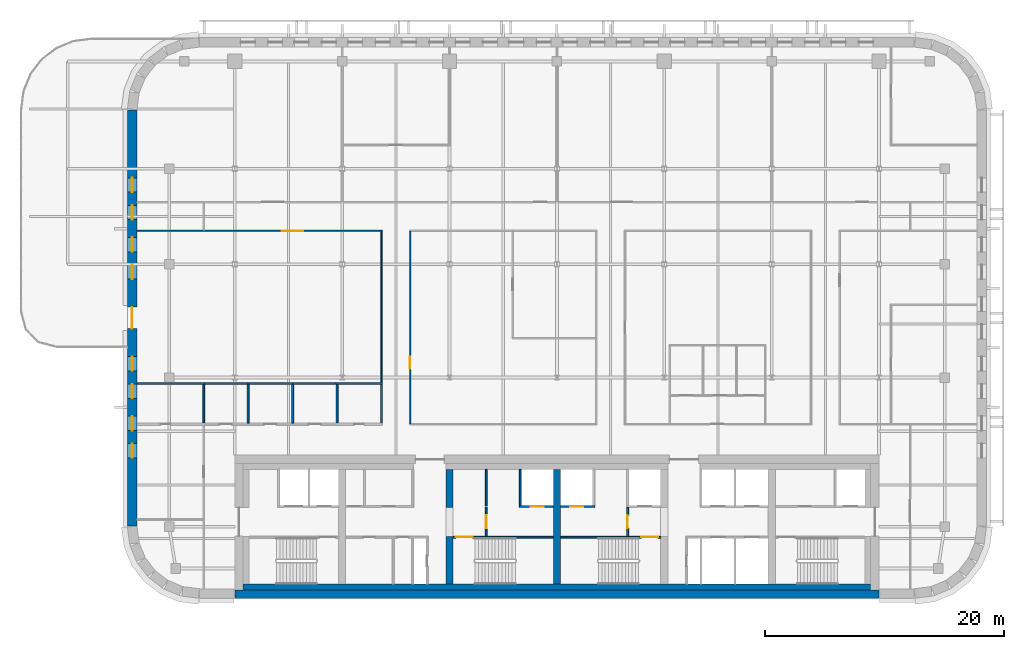
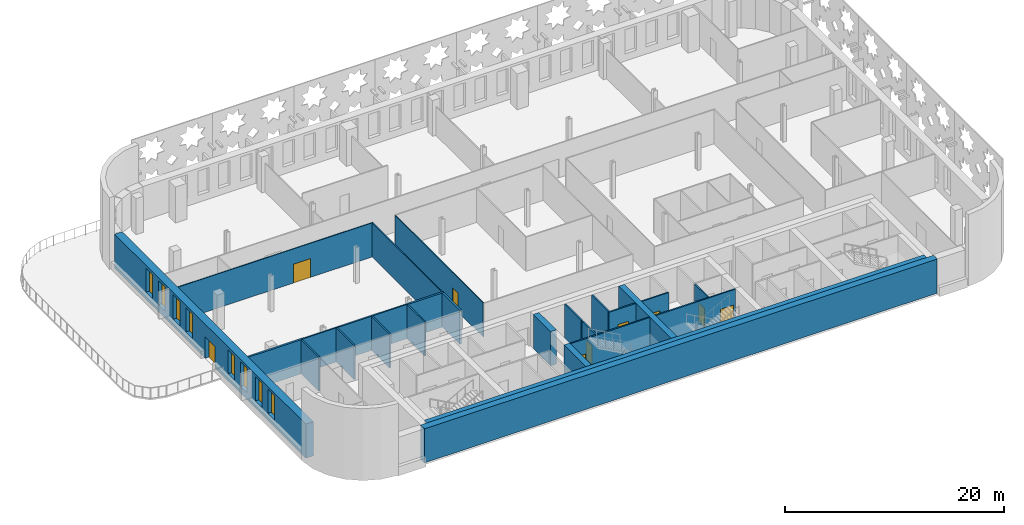
# One storey, part 7 of 17: 25 walls, 9 doors, 8 windows, 17 openings.
"""IFC4 building model written with IfcOpenShell, lengths in metres."""

from ifc_helpers import new_model, si_unit, direction, frame, frame_2d, origin, place, context, subcontext, project, spatial, rectangle, extrude, material, layer, layer_set, type_object, element, fill, save


model = new_model("IFC4")

# Units and contexts
model_context = context("Model", 3, precision=1e-05, world=origin(), true_north=direction((0.0, 1.0)))
body_context = subcontext(model_context, "Body", "Model", "MODEL_VIEW")
ifc_project = project(units=[si_unit("LENGTHUNIT", "METRE"), si_unit("AREAUNIT", "SQUARE_METRE"), si_unit("VOLUMEUNIT", "CUBIC_METRE"), si_unit("PLANEANGLEUNIT", "RADIAN"), si_unit("MASSUNIT", "GRAM", prefix="KILO")], contexts=[model_context])

# Site, building, storey
site_placement = place(None, origin())
site = spatial("IfcSite", under=ifc_project, at=site_placement, CompositionType="ELEMENT")
building_placement = place(site_placement, origin())
building = spatial("IfcBuilding", under=site, at=building_placement, Name="Zellij Exchange Tower", CompositionType="ELEMENT")
storey_placement = place(building_placement, frame((0.0, 0.0, 256.5)))
storey = spatial("IfcBuildingStorey", under=building, at=storey_placement, Name="L60", CompositionType="ELEMENT", Elevation=256.5)

# Walls
ifc_material_1 = material(Name="Concrete C50/60", Category="concrete")
ifc_layer_1 = layer(ifc_material_1, 0.60009765625)
ifc_layer_set_1 = layer_set([ifc_layer_1], Name="Concrete C50/60")
wall_type_1 = type_object("IfcWallType", Name="CORE-CW 600 C50/60", PredefinedType="SHEAR", material=ifc_layer_set_1)
wall_1_placement = place(storey_placement, frame((-9.0, -12.800048828125, 0.0), z_axis=(0.0, 0.0, 1.0), x_axis=(0.0, 1.0, 0.0)))
element("IfcWall", 1, at=wall_1_placement, inside=storey, type_object=wall_type_1, Name="Core cross wall pier x -9 a L60", PredefinedType="SHEAR", context=body_context, shape_type="SweptSolid", body=[
    extrude(rectangle(XDim=4.0, YDim=0.60009765625, at=frame_2d((2.0, 0.0))), origin(), (0.0, 0.0, 1.0), 3.800048828125),
])
wall_2_placement = place(storey_placement, frame((-9.0, -6.375, 0.0), z_axis=(0.0, 0.0, 1.0), x_axis=(0.0, 1.0, 0.0)))
element("IfcWall", 2, at=wall_2_placement, inside=storey, type_object=wall_type_1, Name="Core cross wall pier x -9 b L60", PredefinedType="SHEAR", context=body_context, shape_type="SweptSolid", body=[
    extrude(rectangle(XDim=3.175048828125, YDim=0.60009765625, at=frame_2d((1.58740234375, 0.0))), origin(), (0.0, 0.0, 1.0), 3.800048828125),
])
wall_3_placement = place(storey_placement, frame((0.0, -12.800048828125, 0.0), z_axis=(0.0, 0.0, 1.0), x_axis=(0.0, 1.0, 0.0)))
element("IfcWall", 3, at=wall_3_placement, inside=storey, type_object=wall_type_1, Name="Core cross wall x 0 L60", PredefinedType="SHEAR", context=body_context, shape_type="SweptSolid", body=[
    extrude(rectangle(XDim=9.60009765625, YDim=0.60009765625, at=frame_2d((4.800048828125, 0.0))), origin(), (0.0, 0.0, 1.0), 3.800048828125),
])
ifc_material_2 = material(Name="Concrete C30/37", Category="concrete")
ifc_layer_2 = layer(ifc_material_2, 0.5)
ifc_layer_set_2 = layer_set([ifc_layer_2], Name="Concrete C30/37")
wall_type_2 = type_object("IfcWallType", Name="CORE-LW 500 C30/37", PredefinedType="SHEAR", material=ifc_layer_set_2)
wall_4_placement = place(storey_placement, frame((-26.300048828125, -13.050048828125, 0.0), z_axis=(0.0, 0.0, 1.0), x_axis=(1.0, 0.0, 0.0)))
element("IfcWall", 4, at=wall_4_placement, inside=storey, type_object=wall_type_2, Name="Core wall lining rear.0 L60", PredefinedType="SHEAR", context=body_context, shape_type="SweptSolid", body=[
    extrude(rectangle(XDim=52.60009765625, YDim=0.5, at=frame_2d((26.300048828125, 0.0))), origin(), (0.0, 0.0, 1.0), 3.800048828125),
])

# Wall, opening, door
ifc_material_3 = material(Name="Gypsum shaft wall system")
ifc_layer_3 = layer(ifc_material_3, 0.14990234375)
ifc_layer_set_3 = layer_set([ifc_layer_3], Name="Gypsum shaft wall system")
wall_type_3 = type_object("IfcWallType", Name="CORE-PW 150 Firefighting lobby wall", PredefinedType="PARTITIONING", material=ifc_layer_set_3)
wall_5_placement = place(storey_placement, frame((-5.925048828125, -8.800048828125, 0.0), z_axis=(0.0, 0.0, 1.0), x_axis=(0.0, 1.0, 0.0)))
wall_5 = element("IfcWall", 5, at=wall_5_placement, inside=storey, type_object=wall_type_3, Name="Firefighting lobby wall L60", PredefinedType="PARTITIONING", context=body_context, shape_type="SweptSolid", body=[
    extrude(rectangle(XDim=2.425048828125, YDim=0.14990234375, at=frame_2d((1.21240234375, 0.0))), origin(), (0.0, 0.0, 1.0), 3.800048828125),
])
opening_1_placement = place(wall_5_placement, frame((0.662109375, 0.0, 0.0)))
opening_1 = element("IfcOpeningElement", 6, at=opening_1_placement, cuts=wall_5, Name="Opening CA-31.12", PredefinedType="OPENING", context=body_context, shape_type="SweptSolid", body=[
    extrude(rectangle(XDim=1.10009765625, YDim=2.10009765625, at=frame_2d((0.550048828125, 1.050048828125))), frame((0.0, 0.0869140625, 0.0), z_axis=(0.0, -1.0, 0.0), x_axis=(1.0, 0.0, 0.0)), (0.0, 0.0, 1.0), 0.173828125),
])
ifc_material_4 = material(Name="Hollow metal fire door")
door_type_1 = type_object("IfcDoorType", Name="CORE-D F Firefighting lobby door 1100x2100 1 HR", OperationType="NOTDEFINED", PredefinedType="DOOR", material=ifc_material_4)
door_1_placement = place(opening_1_placement, origin())
door_1 = element("IfcDoor", 7, at=door_1_placement, inside=storey, type_object=door_type_1, Name="Firefighting lobby door CA-31.12", OperationType="SINGLE_SWING_LEFT", OverallHeight=2.10009765625, OverallWidth=1.10009765625, PredefinedType="DOOR", context=body_context, shape_type="SweptSolid", body=[
    extrude(rectangle(XDim=1.10009765625, YDim=2.10009765625, at=frame_2d((0.550048828125, 1.050048828125))), frame((0.0, 0.02490234375, 0.0), z_axis=(0.0, -1.0, 0.0), x_axis=(1.0, 0.0, 0.0)), (0.0, 0.0, 1.0), 0.050048828125),
])
fill(opening_1, door_1)

wall_6_placement = place(storey_placement, frame((5.925048828125, -8.800048828125, 0.0), z_axis=(0.0, 0.0, 1.0), x_axis=(0.0, 1.0, 0.0)))
wall_6 = element("IfcWall", 8, at=wall_6_placement, inside=storey, type_object=wall_type_3, Name="Firefighting lobby wall L60", PredefinedType="PARTITIONING", context=body_context, shape_type="SweptSolid", body=[
    extrude(rectangle(XDim=2.425048828125, YDim=0.14990234375, at=frame_2d((1.21240234375, 0.0))), origin(), (0.0, 0.0, 1.0), 3.800048828125),
])
opening_2_placement = place(wall_6_placement, frame((0.662109375, 0.0, 0.0)))
opening_2 = element("IfcOpeningElement", 9, at=opening_2_placement, cuts=wall_6, Name="Opening CA-31.15", PredefinedType="OPENING", context=body_context, shape_type="SweptSolid", body=[
    extrude(rectangle(XDim=1.10009765625, YDim=2.10009765625, at=frame_2d((0.550048828125, 1.050048828125))), frame((0.0, 0.0869140625, 0.0), z_axis=(0.0, -1.0, 0.0), x_axis=(1.0, 0.0, 0.0)), (0.0, 0.0, 1.0), 0.173828125),
])
door_2_placement = place(opening_2_placement, origin())
door_2 = element("IfcDoor", 10, at=door_2_placement, inside=storey, type_object=door_type_1, Name="Firefighting lobby door CA-31.15", OperationType="SINGLE_SWING_RIGHT", OverallHeight=2.10009765625, OverallWidth=1.10009765625, PredefinedType="DOOR", context=body_context, shape_type="SweptSolid", body=[
    extrude(rectangle(XDim=1.10009765625, YDim=2.10009765625, at=frame_2d((0.550048828125, 1.050048828125))), frame((0.0, 0.02490234375, 0.0), z_axis=(0.0, -1.0, 0.0), x_axis=(1.0, 0.0, 0.0)), (0.0, 0.0, 1.0), 0.050048828125),
])
fill(opening_2, door_2)

# Walls
ifc_material_5 = material(Name="Gypsum board partition")
ifc_layer_4 = layer(ifc_material_5, 0.14990234375)
ifc_layer_set_4 = layer_set([ifc_layer_4], Name="Gypsum board partition")
wall_type_4 = type_object("IfcWallType", Name="CORE-PW 150 Lift lobby wall", PredefinedType="PARTITIONING", material=ifc_layer_set_4)
wall_7_placement = place(storey_placement, frame((-5.925048828125, -6.22509765625, 0.0), z_axis=(0.0, 0.0, 1.0), x_axis=(0.0, 1.0, 0.0)))
element("IfcWall", 11, at=wall_7_placement, inside=storey, type_object=wall_type_4, Name="Lift lobby wall L60", PredefinedType="PARTITIONING", context=body_context, shape_type="SweptSolid", body=[
    extrude(rectangle(XDim=3.025146484375, YDim=0.14990234375, at=frame_2d((1.5126953125, 0.0))), origin(), (0.0, 0.0, 1.0), 3.800048828125),
])
ifc_layer_5 = layer(ifc_material_3, 0.14990234375)
ifc_layer_set_5 = layer_set([ifc_layer_5], Name="Gypsum shaft wall system")
wall_type_5 = type_object("IfcWallType", Name="CORE-PW 150 Lift shaft wall", PredefinedType="PARTITIONING", material=ifc_layer_set_5)
wall_8_placement = place(storey_placement, frame((-3.074951171875, -6.22509765625, 0.0), z_axis=(0.0, 0.0, 1.0), x_axis=(0.0, 1.0, 0.0)))
element("IfcWall", 12, at=wall_8_placement, inside=storey, type_object=wall_type_5, Name="Lift shaft wall L60", PredefinedType="PARTITIONING", context=body_context, shape_type="SweptSolid", body=[
    extrude(rectangle(XDim=3.025146484375, YDim=0.14990234375, at=frame_2d((1.5126953125, 0.0))), origin(), (0.0, 0.0, 1.0), 3.800048828125),
])

# Wall, opening, door
wall_9_placement = place(storey_placement, frame((-3.14990234375, -6.300048828125, 0.0), z_axis=(0.0, 0.0, 1.0), x_axis=(1.0, 0.0, 0.0)))
wall_9 = element("IfcWall", 13, at=wall_9_placement, inside=storey, type_object=wall_type_5, Name="Lift shaft wall L60", PredefinedType="PARTITIONING", context=body_context, shape_type="SweptSolid", body=[
    extrude(rectangle(XDim=2.849853515625, YDim=0.14990234375, at=frame_2d((1.4248046875, 0.0))), origin(), (0.0, 0.0, 1.0), 3.800048828125),
])
opening_3_placement = place(wall_9_placement, frame((0.949951171875, 0.0, 0.0)))
opening_3 = element("IfcOpeningElement", 14, at=opening_3_placement, cuts=wall_9, Name="Opening CA-31.13", PredefinedType="OPENING", context=body_context, shape_type="SweptSolid", body=[
    extrude(rectangle(XDim=1.10009765625, YDim=2.10009765625, at=frame_2d((0.550048828125, 1.050048828125))), frame((0.0, 0.0869140625, 0.0), z_axis=(0.0, -1.0, 0.0), x_axis=(1.0, 0.0, 0.0)), (0.0, 0.0, 1.0), 0.173828125),
])
door_type_2 = type_object("IfcDoorType", Name="CORE-D LD Lift landing door 1100x2100 1.5 HR", OperationType="NOTDEFINED", PredefinedType="DOOR", material=ifc_material_4)
door_3_placement = place(opening_3_placement, origin())
door_3 = element("IfcDoor", 15, at=door_3_placement, inside=storey, type_object=door_type_2, Name="Lift landing door CA-31.13", OperationType="SLIDING_TO_LEFT", OverallHeight=2.10009765625, OverallWidth=1.10009765625, PredefinedType="DOOR", context=body_context, shape_type="SweptSolid", body=[
    extrude(rectangle(XDim=1.10009765625, YDim=2.10009765625, at=frame_2d((0.550048828125, 1.050048828125))), frame((0.0, 0.02490234375, 0.0), z_axis=(0.0, -1.0, 0.0), x_axis=(1.0, 0.0, 0.0)), (0.0, 0.0, 1.0), 0.050048828125),
])
fill(opening_3, door_3)

wall_10_placement = place(storey_placement, frame((0.300048828125, -6.300048828125, 0.0), z_axis=(0.0, 0.0, 1.0), x_axis=(1.0, 0.0, 0.0)))
wall_10 = element("IfcWall", 16, at=wall_10_placement, inside=storey, type_object=wall_type_5, Name="Lift shaft wall L60", PredefinedType="PARTITIONING", context=body_context, shape_type="SweptSolid", body=[
    extrude(rectangle(XDim=2.849853515625, YDim=0.14990234375, at=frame_2d((1.4248046875, 0.0))), origin(), (0.0, 0.0, 1.0), 3.800048828125),
])
opening_4_placement = place(wall_10_placement, frame((0.800048828125, 0.0, 0.0)))
opening_4 = element("IfcOpeningElement", 17, at=opening_4_placement, cuts=wall_10, Name="Opening CA-31.14", PredefinedType="OPENING", context=body_context, shape_type="SweptSolid", body=[
    extrude(rectangle(XDim=1.10009765625, YDim=2.10009765625, at=frame_2d((0.550048828125, 1.050048828125))), frame((0.0, 0.0869140625, 0.0), z_axis=(0.0, -1.0, 0.0), x_axis=(1.0, 0.0, 0.0)), (0.0, 0.0, 1.0), 0.173828125),
])
door_4_placement = place(opening_4_placement, origin())
door_4 = element("IfcDoor", 18, at=door_4_placement, inside=storey, type_object=door_type_2, Name="Lift landing door CA-31.14", OperationType="SLIDING_TO_RIGHT", OverallHeight=2.10009765625, OverallWidth=1.10009765625, PredefinedType="DOOR", context=body_context, shape_type="SweptSolid", body=[
    extrude(rectangle(XDim=1.10009765625, YDim=2.10009765625, at=frame_2d((0.550048828125, 1.050048828125))), frame((0.0, 0.02490234375, 0.0), z_axis=(0.0, -1.0, 0.0), x_axis=(1.0, 0.0, 0.0)), (0.0, 0.0, 1.0), 0.050048828125),
])
fill(opening_4, door_4)

# Wall
ifc_layer_6 = layer(ifc_material_1, 0.699951171875)
ifc_layer_set_6 = layer_set([ifc_layer_6], Name="Concrete C50/60")
wall_type_6 = type_object("IfcWallType", Name="CORE-SW 700 C50/60", PredefinedType="SHEAR", material=ifc_layer_set_6)
wall_11_placement = place(storey_placement, frame((-27.0, -13.64990234375, 0.0), z_axis=(0.0, 0.0, 1.0), x_axis=(1.0, 0.0, 0.0)))
element("IfcWall", 19, at=wall_11_placement, inside=storey, type_object=wall_type_6, Name="Core shear wall rear L60", PredefinedType="SHEAR", context=body_context, shape_type="SweptSolid", body=[
    extrude(rectangle(XDim=54.0, YDim=0.699951171875, at=frame_2d((27.0, 0.0))), origin(), (0.0, 0.0, 1.0), 3.800048828125),
])

# Wall, opening, door
ifc_layer_7 = layer(ifc_material_1, 0.14990234375)
ifc_layer_set_7 = layer_set([ifc_layer_7], Name="Concrete C50/60")
wall_type_7 = type_object("IfcWallType", Name="CORE-SWS 150 C50/60", PredefinedType="SHEAR", material=ifc_layer_set_7)
wall_12_placement = place(storey_placement, frame((-8.699951171875, -8.875, 0.0), z_axis=(0.0, 0.0, 1.0), x_axis=(1.0, 0.0, 0.0)))
wall_12 = element("IfcWall", 20, at=wall_12_placement, inside=storey, type_object=wall_type_7, Name="Stair enclosure wall L60", PredefinedType="SHEAR", context=body_context, shape_type="SweptSolid", body=[
    extrude(rectangle(XDim=8.39990234375, YDim=0.14990234375, at=frame_2d((4.199951171875, 0.0))), origin(), (0.0, 0.0, 1.0), 3.800048828125),
])
opening_5_placement = place(wall_12_placement, frame((0.22509765625, 0.0, 0.0)))
opening_5 = element("IfcOpeningElement", 21, at=opening_5_placement, cuts=wall_12, Name="Opening CA-31.11", PredefinedType="OPENING", context=body_context, shape_type="SweptSolid", body=[
    extrude(rectangle(XDim=1.39990234375, YDim=2.10009765625, at=frame_2d((0.699951171875, 1.050048828125))), frame((0.0, 0.0869140625, 0.0), z_axis=(0.0, -1.0, 0.0), x_axis=(1.0, 0.0, 0.0)), (0.0, 0.0, 1.0), 0.173828125),
])
door_type_3 = type_object("IfcDoorType", Name="CORE-D SD Stair door 1400x2100 1.5 HR", OperationType="NOTDEFINED", PredefinedType="DOOR", material=ifc_material_4)
door_5_placement = place(opening_5_placement, origin())
door_5 = element("IfcDoor", 22, at=door_5_placement, inside=storey, type_object=door_type_3, Name="Stair door CA-31.11", OperationType="DOUBLE_DOOR_SINGLE_SWING", OverallHeight=2.10009765625, OverallWidth=1.39990234375, PredefinedType="DOOR", context=body_context, shape_type="SweptSolid", body=[
    extrude(rectangle(XDim=1.39990234375, YDim=2.10009765625, at=frame_2d((0.699951171875, 1.050048828125))), frame((0.0, 0.02490234375, 0.0), z_axis=(0.0, -1.0, 0.0), x_axis=(1.0, 0.0, 0.0)), (0.0, 0.0, 1.0), 0.050048828125),
])
fill(opening_5, door_5)

wall_13_placement = place(storey_placement, frame((0.300048828125, -8.875, 0.0), z_axis=(0.0, 0.0, 1.0), x_axis=(1.0, 0.0, 0.0)))
wall_13 = element("IfcWall", 23, at=wall_13_placement, inside=storey, type_object=wall_type_7, Name="Stair enclosure wall L60", PredefinedType="SHEAR", context=body_context, shape_type="SweptSolid", body=[
    extrude(rectangle(XDim=8.39990234375, YDim=0.14990234375, at=frame_2d((4.199951171875, 0.0))), origin(), (0.0, 0.0, 1.0), 3.800048828125),
])
opening_6_placement = place(wall_13_placement, frame((6.77490234375, 0.0, 0.0)))
opening_6 = element("IfcOpeningElement", 24, at=opening_6_placement, cuts=wall_13, Name="Opening CA-31.17", PredefinedType="OPENING", context=body_context, shape_type="SweptSolid", body=[
    extrude(rectangle(XDim=1.39990234375, YDim=2.10009765625, at=frame_2d((0.699951171875, 1.050048828125))), frame((0.0, 0.0869140625, 0.0), z_axis=(0.0, -1.0, 0.0), x_axis=(1.0, 0.0, 0.0)), (0.0, 0.0, 1.0), 0.173828125),
])
door_6_placement = place(opening_6_placement, origin())
door_6 = element("IfcDoor", 25, at=door_6_placement, inside=storey, type_object=door_type_3, Name="Stair door CA-31.17", OperationType="DOUBLE_DOOR_SINGLE_SWING", OverallHeight=2.10009765625, OverallWidth=1.39990234375, PredefinedType="DOOR", context=body_context, shape_type="SweptSolid", body=[
    extrude(rectangle(XDim=1.39990234375, YDim=2.10009765625, at=frame_2d((0.699951171875, 1.050048828125))), frame((0.0, 0.02490234375, 0.0), z_axis=(0.0, -1.0, 0.0), x_axis=(1.0, 0.0, 0.0)), (0.0, 0.0, 1.0), 0.050048828125),
])
fill(opening_6, door_6)

# Wall, openings, door, windows
ifc_material_6 = material(Name="Precast concrete C40/50", Category="concrete")
ifc_layer_8 = layer(ifc_material_6, 0.800048828125)
ifc_layer_set_8 = layer_set([ifc_layer_8], Name="Precast concrete C40/50")
wall_type_8 = type_object("IfcWallType", Name="ENV-EW1 Precast stone-piered wall 800", PredefinedType="SOLIDWALL", material=ifc_layer_set_8)
wall_14_placement = place(storey_placement, frame((-35.60009765625, 26.947509765625, 0.0), z_axis=(0.0, 0.0, 1.0), x_axis=(0.0, -1.0, 0.0)))
wall_14 = element("IfcWall", 26, at=wall_14_placement, inside=storey, type_object=wall_type_8, Name="fac.L60.21", PredefinedType="SOLIDWALL", context=body_context, shape_type="SweptSolid", body=[
    extrude(rectangle(XDim=34.89501953125, YDim=0.800048828125, at=frame_2d((17.447509765625, 0.0))), origin(), (0.0, 0.0, 1.0), 3.800048828125),
])
opening_7_placement = place(wall_14_placement, frame((5.71240234375, 0.0, 0.800048828125)))
opening_7 = element("IfcOpeningElement", 27, at=opening_7_placement, cuts=wall_14, Name="Opening FZ4.35", PredefinedType="OPENING", context=body_context, shape_type="SweptSolid", body=[
    extrude(rectangle(XDim=1.199951171875, YDim=2.699951171875, at=frame_2d((0.60009765625, 1.35009765625))), frame((0.0, 0.412109375, 0.0), z_axis=(0.0, -1.0, 0.0), x_axis=(1.0, 0.0, 0.0)), (0.0, 0.0, 1.0), 0.823974609375),
])
opening_8_placement = place(wall_14_placement, frame((8.0126953125, 0.0, 0.800048828125)))
opening_8 = element("IfcOpeningElement", 28, at=opening_8_placement, cuts=wall_14, Name="Opening FZ4.36", PredefinedType="OPENING", context=body_context, shape_type="SweptSolid", body=[
    extrude(rectangle(XDim=1.199951171875, YDim=2.699951171875, at=frame_2d((0.60009765625, 1.35009765625))), frame((0.0, 0.412109375, 0.0), z_axis=(0.0, -1.0, 0.0), x_axis=(1.0, 0.0, 0.0)), (0.0, 0.0, 1.0), 0.823974609375),
])
opening_9_placement = place(wall_14_placement, frame((10.705078125, 0.0, 0.800048828125)))
opening_9 = element("IfcOpeningElement", 29, at=opening_9_placement, cuts=wall_14, Name="Opening FZ4.37", PredefinedType="OPENING", context=body_context, shape_type="SweptSolid", body=[
    extrude(rectangle(XDim=1.199951171875, YDim=2.699951171875, at=frame_2d((0.60009765625, 1.35009765625))), frame((0.0, 0.412109375, 0.0), z_axis=(0.0, -1.0, 0.0), x_axis=(1.0, 0.0, 0.0)), (0.0, 0.0, 1.0), 0.823974609375),
])
opening_10_placement = place(wall_14_placement, frame((13.005126953125, 0.0, 0.800048828125)))
opening_10 = element("IfcOpeningElement", 30, at=opening_10_placement, cuts=wall_14, Name="Opening FZ4.38", PredefinedType="OPENING", context=body_context, shape_type="SweptSolid", body=[
    extrude(rectangle(XDim=1.199951171875, YDim=2.699951171875, at=frame_2d((0.60009765625, 1.35009765625))), frame((0.0, 0.412109375, 0.0), z_axis=(0.0, -1.0, 0.0), x_axis=(1.0, 0.0, 0.0)), (0.0, 0.0, 1.0), 0.823974609375),
])
opening_11_placement = place(wall_14_placement, frame((20.690185546875, 0.0, 0.800048828125)))
opening_11 = element("IfcOpeningElement", 31, at=opening_11_placement, cuts=wall_14, Name="Opening FZ4.39", PredefinedType="OPENING", context=body_context, shape_type="SweptSolid", body=[
    extrude(rectangle(XDim=1.199951171875, YDim=2.699951171875, at=frame_2d((0.60009765625, 1.35009765625))), frame((0.0, 0.412109375, 0.0), z_axis=(0.0, -1.0, 0.0), x_axis=(1.0, 0.0, 0.0)), (0.0, 0.0, 1.0), 0.823974609375),
])
opening_12_placement = place(wall_14_placement, frame((22.989990234375, 0.0, 0.800048828125)))
opening_12 = element("IfcOpeningElement", 32, at=opening_12_placement, cuts=wall_14, Name="Opening FZ4.40", PredefinedType="OPENING", context=body_context, shape_type="SweptSolid", body=[
    extrude(rectangle(XDim=1.199951171875, YDim=2.699951171875, at=frame_2d((0.60009765625, 1.35009765625))), frame((0.0, 0.412109375, 0.0), z_axis=(0.0, -1.0, 0.0), x_axis=(1.0, 0.0, 0.0)), (0.0, 0.0, 1.0), 0.823974609375),
])
opening_13_placement = place(wall_14_placement, frame((25.6826171875, 0.0, 0.800048828125)))
opening_13 = element("IfcOpeningElement", 33, at=opening_13_placement, cuts=wall_14, Name="Opening FZ4.41", PredefinedType="OPENING", context=body_context, shape_type="SweptSolid", body=[
    extrude(rectangle(XDim=1.199951171875, YDim=2.699951171875, at=frame_2d((0.60009765625, 1.35009765625))), frame((0.0, 0.412109375, 0.0), z_axis=(0.0, -1.0, 0.0), x_axis=(1.0, 0.0, 0.0)), (0.0, 0.0, 1.0), 0.823974609375),
])
opening_14_placement = place(wall_14_placement, frame((27.982666015625, 0.0, 0.800048828125)))
opening_14 = element("IfcOpeningElement", 34, at=opening_14_placement, cuts=wall_14, Name="Opening FZ4.42", PredefinedType="OPENING", context=body_context, shape_type="SweptSolid", body=[
    extrude(rectangle(XDim=1.199951171875, YDim=2.699951171875, at=frame_2d((0.60009765625, 1.35009765625))), frame((0.0, 0.412109375, 0.0), z_axis=(0.0, -1.0, 0.0), x_axis=(1.0, 0.0, 0.0)), (0.0, 0.0, 1.0), 0.823974609375),
])
opening_15_placement = place(wall_14_placement, frame((16.547607421875, 0.0, 0.0)))
opening_15 = element("IfcOpeningElement", 35, at=opening_15_placement, cuts=wall_14, Name="Opening FZ4.43", PredefinedType="OPENING", context=body_context, shape_type="SweptSolid", body=[
    extrude(rectangle(XDim=1.800048828125, YDim=2.39990234375, at=frame_2d((0.89990234375, 1.199951171875))), frame((0.0, 0.412109375, 0.0), z_axis=(0.0, -1.0, 0.0), x_axis=(1.0, 0.0, 0.0)), (0.0, 0.0, 1.0), 0.823974609375),
])
ifc_material_7 = material(Name="Aluminium and glass terrace door", Category="aluminium")
door_type_4 = type_object("IfcDoorType", Name="ENV-ED5 Terrace door 1800x2400", OperationType="DOUBLE_DOOR_SINGLE_SWING", PredefinedType="DOOR", material=ifc_material_7)
door_7_placement = place(opening_15_placement, origin())
door_7 = element("IfcDoor", 36, at=door_7_placement, inside=storey, type_object=door_type_4, Name="Terrace door FZ4.43", OperationType="DOUBLE_DOOR_SINGLE_SWING", OverallHeight=2.39990234375, OverallWidth=1.800048828125, PredefinedType="DOOR", context=body_context, shape_type="SweptSolid", body=[
    extrude(rectangle(XDim=1.800048828125, YDim=2.39990234375, at=frame_2d((0.89990234375, 1.199951171875))), frame((0.0, 0.02490234375, 0.0), z_axis=(0.0, -1.0, 0.0), x_axis=(1.0, 0.0, 0.0)), (0.0, 0.0, 1.0), 0.050048828125),
])
fill(opening_15, door_7)
ifc_material_8 = material(Name="Aluminium frame with insulating glass", Category="aluminium")
window_type = type_object("IfcWindowType", Name="ENV-W9 Window 1200x2700", PartitioningType="SINGLE_PANEL", PredefinedType="WINDOW", material=ifc_material_8)
window_1_placement = place(opening_7_placement, origin())
window_1 = element("IfcWindow", 37, at=window_1_placement, inside=storey, type_object=window_type, Name="Window FZ4.35", OverallHeight=2.699951171875, OverallWidth=1.199951171875, PartitioningType="SINGLE_PANEL", PredefinedType="WINDOW", context=body_context, shape_type="SweptSolid", body=[
    extrude(rectangle(XDim=1.199951171875, YDim=2.699951171875, at=frame_2d((0.60009765625, 1.35009765625))), frame((0.0, 0.030029296875, 0.0), z_axis=(0.0, -1.0, 0.0), x_axis=(1.0, 0.0, 0.0)), (0.0, 0.0, 1.0), 0.06005859375),
])
fill(opening_7, window_1)
window_2_placement = place(opening_8_placement, origin())
window_2 = element("IfcWindow", 38, at=window_2_placement, inside=storey, type_object=window_type, Name="Window FZ4.36", OverallHeight=2.699951171875, OverallWidth=1.199951171875, PartitioningType="SINGLE_PANEL", PredefinedType="WINDOW", context=body_context, shape_type="SweptSolid", body=[
    extrude(rectangle(XDim=1.199951171875, YDim=2.699951171875, at=frame_2d((0.60009765625, 1.35009765625))), frame((0.0, 0.030029296875, 0.0), z_axis=(0.0, -1.0, 0.0), x_axis=(1.0, 0.0, 0.0)), (0.0, 0.0, 1.0), 0.06005859375),
])
fill(opening_8, window_2)
window_3_placement = place(opening_9_placement, origin())
window_3 = element("IfcWindow", 39, at=window_3_placement, inside=storey, type_object=window_type, Name="Window FZ4.37", OverallHeight=2.699951171875, OverallWidth=1.199951171875, PartitioningType="SINGLE_PANEL", PredefinedType="WINDOW", context=body_context, shape_type="SweptSolid", body=[
    extrude(rectangle(XDim=1.199951171875, YDim=2.699951171875, at=frame_2d((0.60009765625, 1.35009765625))), frame((0.0, 0.030029296875, 0.0), z_axis=(0.0, -1.0, 0.0), x_axis=(1.0, 0.0, 0.0)), (0.0, 0.0, 1.0), 0.06005859375),
])
fill(opening_9, window_3)
window_4_placement = place(opening_10_placement, origin())
window_4 = element("IfcWindow", 40, at=window_4_placement, inside=storey, type_object=window_type, Name="Window FZ4.38", OverallHeight=2.699951171875, OverallWidth=1.199951171875, PartitioningType="SINGLE_PANEL", PredefinedType="WINDOW", context=body_context, shape_type="SweptSolid", body=[
    extrude(rectangle(XDim=1.199951171875, YDim=2.699951171875, at=frame_2d((0.60009765625, 1.35009765625))), frame((0.0, 0.030029296875, 0.0), z_axis=(0.0, -1.0, 0.0), x_axis=(1.0, 0.0, 0.0)), (0.0, 0.0, 1.0), 0.06005859375),
])
fill(opening_10, window_4)
window_5_placement = place(opening_11_placement, origin())
window_5 = element("IfcWindow", 41, at=window_5_placement, inside=storey, type_object=window_type, Name="Window FZ4.39", OverallHeight=2.699951171875, OverallWidth=1.199951171875, PartitioningType="SINGLE_PANEL", PredefinedType="WINDOW", context=body_context, shape_type="SweptSolid", body=[
    extrude(rectangle(XDim=1.199951171875, YDim=2.699951171875, at=frame_2d((0.60009765625, 1.35009765625))), frame((0.0, 0.030029296875, 0.0), z_axis=(0.0, -1.0, 0.0), x_axis=(1.0, 0.0, 0.0)), (0.0, 0.0, 1.0), 0.06005859375),
])
fill(opening_11, window_5)
window_6_placement = place(opening_12_placement, origin())
window_6 = element("IfcWindow", 42, at=window_6_placement, inside=storey, type_object=window_type, Name="Window FZ4.40", OverallHeight=2.699951171875, OverallWidth=1.199951171875, PartitioningType="SINGLE_PANEL", PredefinedType="WINDOW", context=body_context, shape_type="SweptSolid", body=[
    extrude(rectangle(XDim=1.199951171875, YDim=2.699951171875, at=frame_2d((0.60009765625, 1.35009765625))), frame((0.0, 0.030029296875, 0.0), z_axis=(0.0, -1.0, 0.0), x_axis=(1.0, 0.0, 0.0)), (0.0, 0.0, 1.0), 0.06005859375),
])
fill(opening_12, window_6)
window_7_placement = place(opening_13_placement, origin())
window_7 = element("IfcWindow", 43, at=window_7_placement, inside=storey, type_object=window_type, Name="Window FZ4.41", OverallHeight=2.699951171875, OverallWidth=1.199951171875, PartitioningType="SINGLE_PANEL", PredefinedType="WINDOW", context=body_context, shape_type="SweptSolid", body=[
    extrude(rectangle(XDim=1.199951171875, YDim=2.699951171875, at=frame_2d((0.60009765625, 1.35009765625))), frame((0.0, 0.030029296875, 0.0), z_axis=(0.0, -1.0, 0.0), x_axis=(1.0, 0.0, 0.0)), (0.0, 0.0, 1.0), 0.06005859375),
])
fill(opening_13, window_7)
window_8_placement = place(opening_14_placement, origin())
window_8 = element("IfcWindow", 44, at=window_8_placement, inside=storey, type_object=window_type, Name="Window FZ4.42", OverallHeight=2.699951171875, OverallWidth=1.199951171875, PartitioningType="SINGLE_PANEL", PredefinedType="WINDOW", context=body_context, shape_type="SweptSolid", body=[
    extrude(rectangle(XDim=1.199951171875, YDim=2.699951171875, at=frame_2d((0.60009765625, 1.35009765625))), frame((0.0, 0.030029296875, 0.0), z_axis=(0.0, -1.0, 0.0), x_axis=(1.0, 0.0, 0.0)), (0.0, 0.0, 1.0), 0.06005859375),
])
fill(opening_14, window_8)

# Walls
ifc_material_9 = material(Name="Blockwork partition", Category="masonry")
ifc_layer_9 = layer(ifc_material_9, 0.199951171875)
ifc_layer_set_9 = layer_set([ifc_layer_9], Name="Blockwork partition")
wall_type_9 = type_object("IfcWallType", Name="FIT-BLOCKWORK-200", PredefinedType="PARTITIONING", material=ifc_layer_set_9)
wall_15_placement = place(storey_placement, frame((-14.699951171875, 0.699951171875, 0.0), z_axis=(0.0, 0.0, 1.0), x_axis=(0.0, 1.0, 0.0)))
element("IfcWall", 45, at=wall_15_placement, inside=storey, type_object=wall_type_9, Name="FIT-BLOCKWORK-200 011", PredefinedType="PARTITIONING", context=body_context, shape_type="SweptSolid", body=[
    extrude(rectangle(XDim=3.199951171875, YDim=0.199951171875, at=frame_2d((1.60009765625, 0.0))), origin(), (0.0, 0.0, 1.0), 3.800048828125),
])
wall_16_placement = place(storey_placement, frame((-35.199951171875, 4.0, 0.0), z_axis=(0.0, 0.0, 1.0), x_axis=(1.0, 0.0, 0.0)))
element("IfcWall", 46, at=wall_16_placement, inside=storey, type_object=wall_type_9, Name="FIT-BLOCKWORK-200 026", PredefinedType="PARTITIONING", context=body_context, shape_type="SweptSolid", body=[
    extrude(rectangle(XDim=5.675048828125, YDim=0.199951171875, at=frame_2d((2.83740234375, 0.0))), origin(), (0.0, 0.0, 1.0), 3.800048828125),
])
wall_17_placement = place(storey_placement, frame((-18.4951171875, 4.0, 0.0), z_axis=(0.0, 0.0, 1.0), x_axis=(1.0, 0.0, 0.0)))
element("IfcWall", 47, at=wall_17_placement, inside=storey, type_object=wall_type_9, Name="FIT-BLOCKWORK-200 028", PredefinedType="PARTITIONING", context=body_context, shape_type="SweptSolid", body=[
    extrude(rectangle(XDim=3.89501953125, YDim=0.199951171875, at=frame_2d((1.947509765625, 0.0))), origin(), (0.0, 0.0, 1.0), 3.800048828125),
])

# Wall, opening, door
ifc_material_10 = material(Name="Gypsum board partition on steel studs", Category="steel")
ifc_layer_10 = layer(ifc_material_10, 0.10009765625)
ifc_layer_set_10 = layer_set([ifc_layer_10], Name="Gypsum board partition on steel studs")
wall_type_10 = type_object("IfcWallType", Name="FIT-PARTITION-100", PredefinedType="PARTITIONING", material=ifc_layer_set_10)
wall_18_placement = place(storey_placement, frame((-12.300048828125, 0.64990234375, 0.0), z_axis=(0.0, 0.0, 1.0), x_axis=(0.0, 1.0, 0.0)))
wall_18 = element("IfcWall", 48, at=wall_18_placement, inside=storey, type_object=wall_type_10, Name="FIT-PARTITION-100 013", PredefinedType="PARTITIONING", context=body_context, shape_type="SweptSolid", body=[
    extrude(rectangle(XDim=16.10009765625, YDim=0.10009765625, at=frame_2d((8.050048828125, 0.0))), origin(), (0.0, 0.0, 1.0), 3.800048828125),
])
opening_16_placement = place(wall_18_placement, frame((4.60009765625, 0.0, 0.0)))
opening_16 = element("IfcOpeningElement", 49, at=opening_16_placement, cuts=wall_18, Name="Opening O4E.13", PredefinedType="OPENING", context=body_context, shape_type="SweptSolid", body=[
    extrude(rectangle(XDim=1.0, YDim=2.10009765625, at=frame_2d((0.5, 1.050048828125))), frame((0.0, 0.06201171875, 0.0), z_axis=(0.0, -1.0, 0.0), x_axis=(1.0, 0.0, 0.0)), (0.0, 0.0, 1.0), 0.1240234375),
])
ifc_material_11 = material(Name="Timber door set", Category="wood")
door_type_5 = type_object("IfcDoorType", Name="FIT-D2-WIDE-1000X2100", OperationType="SINGLE_SWING_LEFT", PredefinedType="DOOR", material=ifc_material_11)
door_8_placement = place(opening_16_placement, origin())
door_8 = element("IfcDoor", 50, at=door_8_placement, inside=storey, type_object=door_type_5, Name="Door O4E.13", OperationType="SINGLE_SWING_LEFT", OverallHeight=2.10009765625, OverallWidth=1.0, PredefinedType="DOOR", context=body_context, shape_type="SweptSolid", body=[
    extrude(rectangle(XDim=1.0, YDim=2.10009765625, at=frame_2d((0.5, 1.050048828125))), frame((0.0, 0.02490234375, 0.0), z_axis=(0.0, -1.0, 0.0), x_axis=(1.0, 0.0, 0.0)), (0.0, 0.0, 1.0), 0.050048828125),
])
fill(opening_16, door_8)

# Wall
wall_19_placement = place(storey_placement, frame((-14.699951171875, 4.10009765625, 0.0), z_axis=(0.0, 0.0, 1.0), x_axis=(0.0, 1.0, 0.0)))
element("IfcWall", 51, at=wall_19_placement, inside=storey, type_object=wall_type_10, Name="FIT-PARTITION-100 029", PredefinedType="PARTITIONING", context=body_context, shape_type="SweptSolid", body=[
    extrude(rectangle(XDim=12.64990234375, YDim=0.10009765625, at=frame_2d((6.324951171875, 0.0))), origin(), (0.0, 0.0, 1.0), 3.800048828125),
])

# Wall, opening, door
wall_20_placement = place(storey_placement, frame((-35.199951171875, 16.800048828125, 0.0), z_axis=(0.0, 0.0, 1.0), x_axis=(1.0, 0.0, 0.0)))
wall_20 = element("IfcWall", 52, at=wall_20_placement, inside=storey, type_object=wall_type_10, Name="FIT-PARTITION-100 034", PredefinedType="PARTITIONING", context=body_context, shape_type="SweptSolid", body=[
    extrude(rectangle(XDim=20.550048828125, YDim=0.10009765625, at=frame_2d((10.27490234375, 0.0))), origin(), (0.0, 0.0, 1.0), 3.800048828125),
])
opening_17_placement = place(wall_20_placement, frame((12.14990234375, 0.0, 0.0)))
opening_17 = element("IfcOpeningElement", 53, at=opening_17_placement, cuts=wall_20, Name="Opening O4E.17", PredefinedType="OPENING", context=body_context, shape_type="SweptSolid", body=[
    extrude(rectangle(XDim=1.800048828125, YDim=2.10009765625, at=frame_2d((0.89990234375, 1.050048828125))), frame((0.0, 0.06201171875, 0.0), z_axis=(0.0, -1.0, 0.0), x_axis=(1.0, 0.0, 0.0)), (0.0, 0.0, 1.0), 0.1240234375),
])
door_type_6 = type_object("IfcDoorType", Name="FIT-D3-DOUBLE-1800X2100", OperationType="DOUBLE_DOOR_SINGLE_SWING", PredefinedType="DOOR", material=ifc_material_11)
door_9_placement = place(opening_17_placement, origin())
door_9 = element("IfcDoor", 54, at=door_9_placement, inside=storey, type_object=door_type_6, Name="Door O4E.17", OperationType="DOUBLE_DOOR_SINGLE_SWING", OverallHeight=2.10009765625, OverallWidth=1.800048828125, PredefinedType="DOOR", context=body_context, shape_type="SweptSolid", body=[
    extrude(rectangle(XDim=1.800048828125, YDim=2.10009765625, at=frame_2d((0.89990234375, 1.050048828125))), frame((0.0, 0.02490234375, 0.0), z_axis=(0.0, -1.0, 0.0), x_axis=(1.0, 0.0, 0.0)), (0.0, 0.0, 1.0), 0.050048828125),
])
fill(opening_17, door_9)

# Walls
ifc_material_12 = material(Name="Gypsum board shaft-wall partition", Category="gypsum")
ifc_layer_11 = layer(ifc_material_12, 0.14990234375)
ifc_layer_set_11 = layer_set([ifc_layer_11], Name="Gypsum board shaft-wall partition")
wall_type_11 = type_object("IfcWallType", Name="FIT-PARTITION-150-EI60", PredefinedType="PARTITIONING", material=ifc_layer_set_11)
wall_21_placement = place(storey_placement, frame((-29.60009765625, 0.699951171875, 0.0), z_axis=(0.0, 0.0, 1.0), x_axis=(0.0, 1.0, 0.0)))
element("IfcWall", 55, at=wall_21_placement, inside=storey, type_object=wall_type_11, Name="FIT-PARTITION-150-EI60 006", PredefinedType="PARTITIONING", context=body_context, shape_type="SweptSolid", body=[
    extrude(rectangle(XDim=3.199951171875, YDim=0.14990234375, at=frame_2d((1.60009765625, 0.0))), origin(), (0.0, 0.0, 1.0), 3.800048828125),
])
for number, where, z_axis, x_axis, name in (
    (56, (-25.8798828125, 0.675048828125, 0.0), (0.0, 0.0, 1.0), (0.0, 1.0, 0.0), "FIT-PARTITION-150-EI60 007"),
    (57, (-22.14990234375, 0.675048828125, 0.0), (0.0, 0.0, 1.0), (0.0, 1.0, 0.0), "FIT-PARTITION-150-EI60 008"),
):
    element("IfcWall", number, at=place(storey_placement, frame(where, z_axis=z_axis, x_axis=x_axis)), inside=storey, type_object=wall_type_11, Name=name, PredefinedType="PARTITIONING", context=body_context, shape_type="SweptSolid", body=[
        extrude(rectangle(XDim=3.25, YDim=0.14990234375, at=frame_2d((1.625, 0.0))), origin(), (0.0, 0.0, 1.0), 3.800048828125),
    ])
wall_22_placement = place(storey_placement, frame((-18.419921875, 0.699951171875, 0.0), z_axis=(0.0, 0.0, 1.0), x_axis=(0.0, 1.0, 0.0)))
element("IfcWall", 58, at=wall_22_placement, inside=storey, type_object=wall_type_11, Name="FIT-PARTITION-150-EI60 010", PredefinedType="PARTITIONING", context=body_context, shape_type="SweptSolid", body=[
    extrude(rectangle(XDim=3.199951171875, YDim=0.14990234375, at=frame_2d((1.60009765625, 0.0))), origin(), (0.0, 0.0, 1.0), 3.800048828125),
])
wall_23_placement = place(storey_placement, frame((-29.675048828125, 4.0, 0.0), z_axis=(0.0, 0.0, 1.0), x_axis=(1.0, 0.0, 0.0)))
element("IfcWall", 59, at=wall_23_placement, inside=storey, type_object=wall_type_11, Name="FIT-PARTITION-150-EI60 027", PredefinedType="PARTITIONING", context=body_context, shape_type="SweptSolid", body=[
    extrude(rectangle(XDim=11.330078125, YDim=0.14990234375, at=frame_2d((5.6650390625, 0.0))), origin(), (0.0, 0.0, 1.0), 3.800048828125),
])

save(model, "model.ifc")
